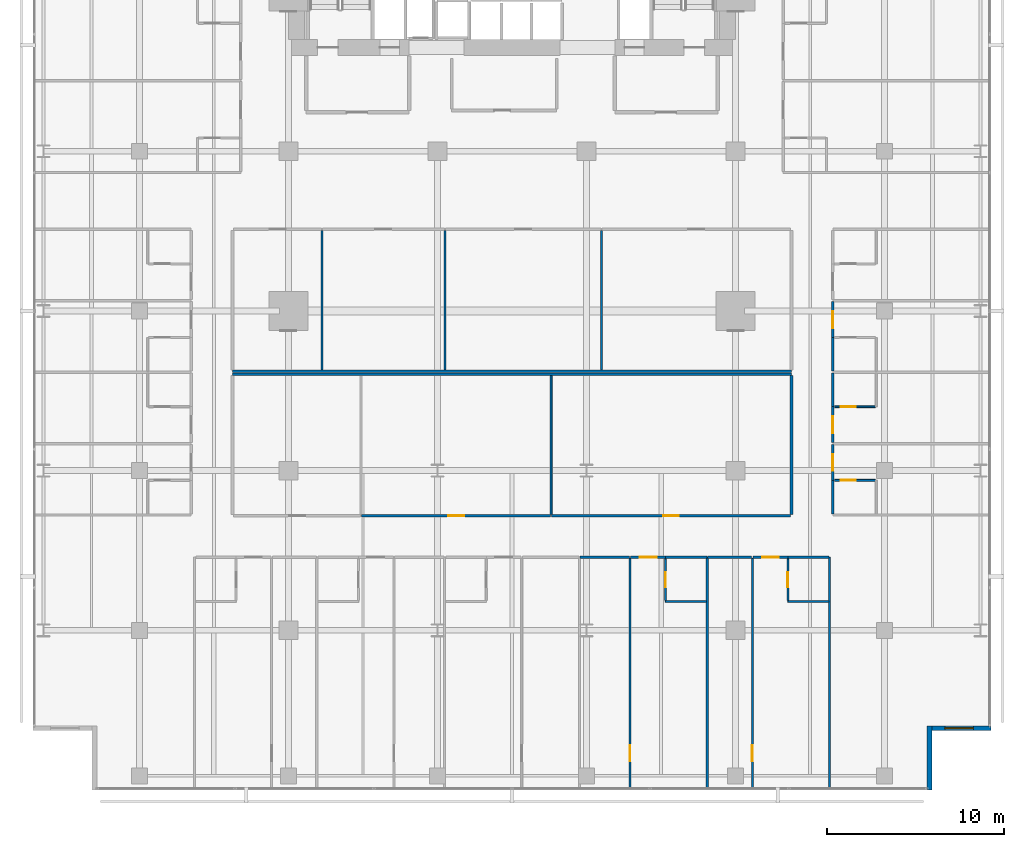
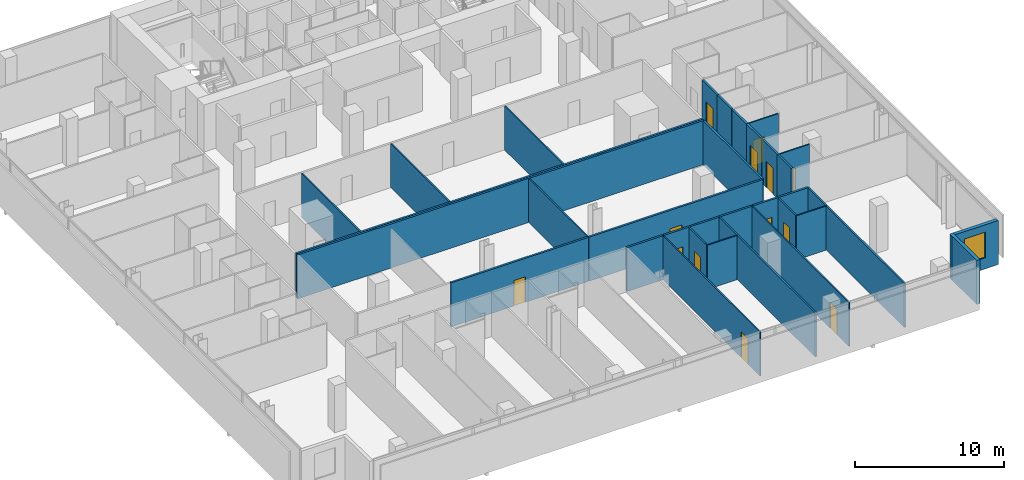
# One storey, part 34 of 40: 33 walls, 13 doors, 1 window, 14 openings.
"""IFC4 building model written with IfcOpenShell, lengths in metres."""

from ifc_helpers import new_model, si_unit, direction, frame, frame_2d, origin, place, context, subcontext, project, spatial, rectangle, extrude, material, layer, layer_set, type_object, element, fill, save


model = new_model("IFC4")

# Units and contexts
model_context = context("Model", 3, precision=1e-05, world=origin(), true_north=direction((0.0, 1.0)))
body_context = subcontext(model_context, "Body", "Model", "MODEL_VIEW")
ifc_project = project(units=[si_unit("LENGTHUNIT", "METRE"), si_unit("AREAUNIT", "SQUARE_METRE"), si_unit("VOLUMEUNIT", "CUBIC_METRE"), si_unit("PLANEANGLEUNIT", "RADIAN"), si_unit("MASSUNIT", "GRAM", prefix="KILO")], contexts=[model_context])

# Site, building, storey
site_placement = place(None, origin())
site = spatial("IfcSite", under=ifc_project, at=site_placement, CompositionType="ELEMENT")
building_placement = place(site_placement, origin())
building = spatial("IfcBuilding", under=site, at=building_placement, Name="Maruvema Waterfront Hotel and Observation Tower", CompositionType="ELEMENT")
storey_placement = place(building_placement, frame((0.0, 0.0, 77.0)))
storey = spatial("IfcBuildingStorey", under=building, at=storey_placement, Name="L18", CompositionType="ELEMENT", Elevation=77.0)

# Walls
ifc_material_1 = material(Name="Twin-stud acoustic gypsum drywall", Category="gypsum")
ifc_layer_1 = layer(ifc_material_1, 0.14990234375, Name="Acoustic Corridor and Suite Demising Wall 150 mm")
ifc_layer_set_1 = layer_set([ifc_layer_1], Name="Twin-stud acoustic gypsum drywall")
wall_type_1 = type_object("IfcWallType", Name="Acoustic Corridor and Suite Demising Wall 150 mm", PredefinedType="PARTITIONING", material=ifc_layer_set_1)
for number, where, z_axis, x_axis, name in (
    (1, (22.050048828125, 23.60009765625, 0.0), (0.0, 0.0, 1.0), (1.0, 0.0, 0.0), "L18 L18-INTN Back Wall 016"),
    (2, (22.050048828125, 23.43994140625, 0.0), (0.0, 0.0, 1.0), (1.0, 0.0, 0.0), "L18 L18-INTS Back Wall 026"),
):
    element("IfcWall", number, at=place(storey_placement, frame(where, z_axis=z_axis, x_axis=x_axis)), inside=storey, type_object=wall_type_1, Name=name, PredefinedType="PARTITIONING", context=body_context, shape_type="SweptSolid", body=[
        extrude(rectangle(XDim=31.5, YDim=0.14990234375, at=frame_2d((15.75, 0.0))), origin(), (0.0, 0.0, 1.0), 3.610107421875),
    ])
wall_1_placement = place(storey_placement, frame((53.550048828125, 15.530029296875, 0.0), z_axis=(0.0, 0.0, 1.0), x_axis=(0.0, 1.0, 0.0)))
element("IfcWall", 3, at=wall_1_placement, inside=storey, type_object=wall_type_1, Name="L18 L18-INTS East Wall 028", PredefinedType="PARTITIONING", context=body_context, shape_type="SweptSolid", body=[
    extrude(rectangle(XDim=7.830078125, YDim=0.14990234375, at=frame_2d((3.9150390625, 0.0))), origin(), (0.0, 0.0, 1.0), 3.610107421875),
])

# Wall, opening, door
wall_2_placement = place(storey_placement, frame((29.324951171875, 15.449951171875, 0.0), z_axis=(0.0, 0.0, 1.0), x_axis=(1.0, 0.0, 0.0)))
wall_2 = element("IfcWall", 4, at=wall_2_placement, inside=storey, type_object=wall_type_1, Name="L18 L18-INTS Front 2 031", PredefinedType="PARTITIONING", context=body_context, shape_type="SweptSolid", body=[
    extrude(rectangle(XDim=10.650146484375, YDim=0.14990234375, at=frame_2d((5.3251953125, 0.0))), origin(), (0.0, 0.0, 1.0), 3.610107421875),
])
opening_1_placement = place(wall_2_placement, frame((4.875, 0.0, 0.0)))
opening_1 = element("IfcOpeningElement", 5, at=opening_1_placement, cuts=wall_2, Name="Opening DR-090", PredefinedType="OPENING", context=body_context, shape_type="SweptSolid", body=[
    extrude(rectangle(XDim=0.89990234375, YDim=2.10009765625, at=frame_2d((0.449951171875, 1.050048828125))), frame((0.0, 0.0849609375, 0.0), z_axis=(0.0, -1.0, 0.0), x_axis=(1.0, 0.0, 0.0)), (0.0, 0.0, 1.0), 0.169921875),
])
ifc_material_2 = material(Name="Solid-core lacquered timber leaf", Category="wood")
door_type_1 = type_object("IfcDoorType", Name="Accessible Toilet and Room Door 900x2100 mm", OperationType="NOTDEFINED", PredefinedType="DOOR", material=ifc_material_2)
door_1_placement = place(opening_1_placement, frame((0.89990234375, 0.0, 0.0), z_axis=(0.0, 0.0, 1.0), x_axis=(-1.0, 0.0, 0.0)))
door_1 = element("IfcDoor", 6, at=door_1_placement, inside=storey, type_object=door_type_1, Name="L18 Tea Kitchenette Door", OperationType="SINGLE_SWING_LEFT", OverallHeight=2.10009765625, OverallWidth=0.89990234375, PredefinedType="DOOR", context=body_context, shape_type="SweptSolid", body=[
    extrude(rectangle(XDim=0.89990234375, YDim=2.10009765625, at=frame_2d((0.449951171875, 1.050048828125))), frame((0.0, 0.02490234375, 0.0), z_axis=(0.0, -1.0, 0.0), x_axis=(1.0, 0.0, 0.0)), (0.0, 0.0, 1.0), 0.050048828125),
])
fill(opening_1, door_1)

wall_3_placement = place(storey_placement, frame((40.034912109375, 15.449951171875, 0.0), z_axis=(0.0, 0.0, 1.0), x_axis=(1.0, 0.0, 0.0)))
wall_3 = element("IfcWall", 7, at=wall_3_placement, inside=storey, type_object=wall_type_1, Name="L18 L18-INTS Front 3 033", PredefinedType="PARTITIONING", context=body_context, shape_type="SweptSolid", body=[
    extrude(rectangle(XDim=13.455078125, YDim=0.14990234375, at=frame_2d((6.7275390625, 0.0))), origin(), (0.0, 0.0, 1.0), 3.610107421875),
])
opening_2_placement = place(wall_3_placement, frame((6.277587890625, 0.0, 0.0)))
opening_2 = element("IfcOpeningElement", 8, at=opening_2_placement, cuts=wall_3, Name="Opening DR-090", PredefinedType="OPENING", context=body_context, shape_type="SweptSolid", body=[
    extrude(rectangle(XDim=0.89990234375, YDim=2.10009765625, at=frame_2d((0.449951171875, 1.050048828125))), frame((0.0, 0.0849609375, 0.0), z_axis=(0.0, -1.0, 0.0), x_axis=(1.0, 0.0, 0.0)), (0.0, 0.0, 1.0), 0.169921875),
])
door_2_placement = place(opening_2_placement, frame((0.89990234375, 0.0, 0.0), z_axis=(0.0, 0.0, 1.0), x_axis=(-1.0, 0.0, 0.0)))
door_2 = element("IfcDoor", 9, at=door_2_placement, inside=storey, type_object=door_type_1, Name="L18 Housekeeping Linen Room Door", OperationType="SINGLE_SWING_RIGHT", OverallHeight=2.10009765625, OverallWidth=0.89990234375, PredefinedType="DOOR", context=body_context, shape_type="SweptSolid", body=[
    extrude(rectangle(XDim=0.89990234375, YDim=2.10009765625, at=frame_2d((0.449951171875, 1.050048828125))), frame((0.0, 0.02490234375, 0.0), z_axis=(0.0, -1.0, 0.0), x_axis=(1.0, 0.0, 0.0)), (0.0, 0.0, 1.0), 0.050048828125),
])
fill(opening_2, door_2)

# Walls
wall_4_placement = place(storey_placement, frame((46.449951171875, 13.1201171875, 0.0), z_axis=(0.0, 0.0, 1.0), x_axis=(1.0, 0.0, 0.0)))
element("IfcWall", 10, at=wall_4_placement, inside=storey, type_object=wall_type_1, Name="L18 Bath L18-S4 Back Wall 057", PredefinedType="PARTITIONING", context=body_context, shape_type="SweptSolid", body=[
    extrude(rectangle(XDim=2.330078125, YDim=0.14990234375, at=frame_2d((1.1650390625, 0.0))), origin(), (0.0, 0.0, 1.0), 3.610107421875),
])
wall_5_placement = place(storey_placement, frame((41.6201171875, 13.1201171875, 0.0), z_axis=(0.0, 0.0, 1.0), x_axis=(1.0, 0.0, 0.0)))
element("IfcWall", 11, at=wall_5_placement, inside=storey, type_object=wall_type_1, Name="L18 Bedroom L18-S4 Back Wall 060", PredefinedType="PARTITIONING", context=body_context, shape_type="SweptSolid", body=[
    extrude(rectangle(XDim=2.789794921875, YDim=0.14990234375, at=frame_2d((1.39501953125, 0.0))), origin(), (0.0, 0.0, 1.0), 3.610107421875),
])

# Wall, opening, door
wall_6_placement = place(storey_placement, frame((44.489990234375, 13.1201171875, 0.0), z_axis=(0.0, 0.0, 1.0), x_axis=(1.0, 0.0, 0.0)))
wall_6 = element("IfcWall", 12, at=wall_6_placement, inside=storey, type_object=wall_type_1, Name="L18 Unit L18-S4 Corridor Wall 061", PredefinedType="PARTITIONING", context=body_context, shape_type="SweptSolid", body=[
    extrude(rectangle(XDim=1.9599609375, YDim=0.14990234375, at=frame_2d((0.97998046875, 0.0))), origin(), (0.0, 0.0, 1.0), 3.610107421875),
])
opening_3_placement = place(wall_6_placement, frame((0.5048828125, 0.0, 0.0)))
opening_3 = element("IfcOpeningElement", 13, at=opening_3_placement, cuts=wall_6, Name="Opening DR-095", PredefinedType="OPENING", context=body_context, shape_type="SweptSolid", body=[
    extrude(rectangle(XDim=0.949951171875, YDim=2.14990234375, at=frame_2d((0.47509765625, 1.074951171875))), frame((0.0, 0.0849609375, 0.0), z_axis=(0.0, -1.0, 0.0), x_axis=(1.0, 0.0, 0.0)), (0.0, 0.0, 1.0), 0.169921875),
])
ifc_material_3 = material(Name="Acoustic solid-core hardwood timber leaf", Category="wood")
door_type_2 = type_object("IfcDoorType", Name="Guestroom Entrance Fire Door 950x2150 mm", OperationType="NOTDEFINED", PredefinedType="DOOR", material=ifc_material_3)
door_3_placement = place(opening_3_placement, frame((0.949951171875, 0.0, 0.0), z_axis=(0.0, 0.0, 1.0), x_axis=(-1.0, 0.0, 0.0)))
door_3 = element("IfcDoor", 14, at=door_3_placement, inside=storey, type_object=door_type_2, Name="L18 Unit L18-S4 Entrance Door", OperationType="SINGLE_SWING_LEFT", OverallHeight=2.14990234375, OverallWidth=0.949951171875, PredefinedType="DOOR", context=body_context, shape_type="SweptSolid", body=[
    extrude(rectangle(XDim=0.949951171875, YDim=2.14990234375, at=frame_2d((0.47509765625, 1.074951171875))), frame((0.0, 0.02490234375, 0.0), z_axis=(0.0, -1.0, 0.0), x_axis=(1.0, 0.0, 0.0)), (0.0, 0.0, 1.0), 0.050048828125),
])
fill(opening_3, door_3)

# Walls
wall_7_placement = place(storey_placement, frame((53.35009765625, 13.1201171875, 0.0), z_axis=(0.0, 0.0, 1.0), x_axis=(1.0, 0.0, 0.0)))
element("IfcWall", 15, at=wall_7_placement, inside=storey, type_object=wall_type_1, Name="L18 Bath L18-S5 Back Wall 064", PredefinedType="PARTITIONING", context=body_context, shape_type="SweptSolid", body=[
    extrude(rectangle(XDim=2.329833984375, YDim=0.14990234375, at=frame_2d((1.1650390625, 0.0))), origin(), (0.0, 0.0, 1.0), 3.610107421875),
])
wall_8_placement = place(storey_placement, frame((48.820068359375, 13.1201171875, 0.0), z_axis=(0.0, 0.0, 1.0), x_axis=(1.0, 0.0, 0.0)))
element("IfcWall", 16, at=wall_8_placement, inside=storey, type_object=wall_type_1, Name="L18 Bedroom L18-S5 Back Wall 067", PredefinedType="PARTITIONING", context=body_context, shape_type="SweptSolid", body=[
    extrude(rectangle(XDim=2.489990234375, YDim=0.14990234375, at=frame_2d((1.2451171875, 0.0))), origin(), (0.0, 0.0, 1.0), 3.610107421875),
])

# Wall, opening, door
wall_9_placement = place(storey_placement, frame((51.389892578125, 13.1201171875, 0.0), z_axis=(0.0, 0.0, 1.0), x_axis=(1.0, 0.0, 0.0)))
wall_9 = element("IfcWall", 17, at=wall_9_placement, inside=storey, type_object=wall_type_1, Name="L18 Unit L18-S5 Corridor Wall 068", PredefinedType="PARTITIONING", context=body_context, shape_type="SweptSolid", body=[
    extrude(rectangle(XDim=1.960205078125, YDim=0.14990234375, at=frame_2d((0.97998046875, 0.0))), origin(), (0.0, 0.0, 1.0), 3.610107421875),
])
opening_4_placement = place(wall_9_placement, frame((0.5048828125, 0.0, 0.0)))
opening_4 = element("IfcOpeningElement", 18, at=opening_4_placement, cuts=wall_9, Name="Opening DR-095", PredefinedType="OPENING", context=body_context, shape_type="SweptSolid", body=[
    extrude(rectangle(XDim=0.949951171875, YDim=2.14990234375, at=frame_2d((0.47509765625, 1.074951171875))), frame((0.0, 0.0849609375, 0.0), z_axis=(0.0, -1.0, 0.0), x_axis=(1.0, 0.0, 0.0)), (0.0, 0.0, 1.0), 0.169921875),
])
door_4_placement = place(opening_4_placement, frame((0.949951171875, 0.0, 0.0), z_axis=(0.0, 0.0, 1.0), x_axis=(-1.0, 0.0, 0.0)))
door_4 = element("IfcDoor", 19, at=door_4_placement, inside=storey, type_object=door_type_2, Name="L18 Unit L18-S5 Entrance Door", OperationType="SINGLE_SWING_RIGHT", OverallHeight=2.14990234375, OverallWidth=0.949951171875, PredefinedType="DOOR", context=body_context, shape_type="SweptSolid", body=[
    extrude(rectangle(XDim=0.949951171875, YDim=2.14990234375, at=frame_2d((0.47509765625, 1.074951171875))), frame((0.0, 0.02490234375, 0.0), z_axis=(0.0, -1.0, 0.0), x_axis=(1.0, 0.0, 0.0)), (0.0, 0.0, 1.0), 0.050048828125),
])
fill(opening_4, door_4)

# Wall
wall_10_placement = place(storey_placement, frame((55.8798828125, 15.56005859375, 0.0), z_axis=(0.0, 0.0, 1.0), x_axis=(0.0, 1.0, 0.0)))
element("IfcWall", 20, at=wall_10_placement, inside=storey, type_object=wall_type_1, Name="L18 Bath L18-E1 Wall 078", PredefinedType="PARTITIONING", context=body_context, shape_type="SweptSolid", body=[
    extrude(rectangle(XDim=1.889892578125, YDim=0.14990234375, at=frame_2d((0.94482421875, 0.0))), origin(), (0.0, 0.0, 1.0), 3.610107421875),
])

# Wall, opening, door
wall_11_placement = place(storey_placement, frame((55.8798828125, 17.449951171875, 0.0), z_axis=(0.0, 0.0, 1.0), x_axis=(0.0, 1.0, 0.0)))
wall_11 = element("IfcWall", 21, at=wall_11_placement, inside=storey, type_object=wall_type_1, Name="L18 Room L18-E1 Corridor Wall 079", PredefinedType="PARTITIONING", context=body_context, shape_type="SweptSolid", body=[
    extrude(rectangle(XDim=2.010009765625, YDim=0.14990234375, at=frame_2d((1.0048828125, 0.0))), origin(), (0.0, 0.0, 1.0), 3.610107421875),
])
opening_5_placement = place(wall_11_placement, frame((0.530029296875, 0.0, 0.0)))
opening_5 = element("IfcOpeningElement", 22, at=opening_5_placement, cuts=wall_11, Name="Opening DR-095", PredefinedType="OPENING", context=body_context, shape_type="SweptSolid", body=[
    extrude(rectangle(XDim=0.949951171875, YDim=2.14990234375, at=frame_2d((0.47509765625, 1.074951171875))), frame((0.0, 0.0849609375, 0.0), z_axis=(0.0, -1.0, 0.0), x_axis=(1.0, 0.0, 0.0)), (0.0, 0.0, 1.0), 0.169921875),
])
door_5_placement = place(opening_5_placement, frame((0.949951171875, 0.0, 0.0), z_axis=(0.0, 0.0, 1.0), x_axis=(-1.0, 0.0, 0.0)))
door_5 = element("IfcDoor", 23, at=door_5_placement, inside=storey, type_object=door_type_2, Name="L18 Room L18-E1 Entrance Door", OperationType="SINGLE_SWING_LEFT", OverallHeight=2.14990234375, OverallWidth=0.949951171875, PredefinedType="DOOR", context=body_context, shape_type="SweptSolid", body=[
    extrude(rectangle(XDim=0.949951171875, YDim=2.14990234375, at=frame_2d((0.47509765625, 1.074951171875))), frame((0.0, 0.02490234375, 0.0), z_axis=(0.0, -1.0, 0.0), x_axis=(1.0, 0.0, 0.0)), (0.0, 0.0, 1.0), 0.050048828125),
])
fill(opening_5, door_5)

wall_12_placement = place(storey_placement, frame((55.8798828125, 19.580078125, 0.0), z_axis=(0.0, 0.0, 1.0), x_axis=(0.0, 1.0, 0.0)))
wall_12 = element("IfcWall", 24, at=wall_12_placement, inside=storey, type_object=wall_type_1, Name="L18 Room L18-E2 Corridor Wall 088", PredefinedType="PARTITIONING", context=body_context, shape_type="SweptSolid", body=[
    extrude(rectangle(XDim=2.02001953125, YDim=0.14990234375, at=frame_2d((1.010009765625, 0.0))), origin(), (0.0, 0.0, 1.0), 3.610107421875),
])
opening_6_placement = place(wall_12_placement, frame((0.534912109375, 0.0, 0.0)))
opening_6 = element("IfcOpeningElement", 25, at=opening_6_placement, cuts=wall_12, Name="Opening DR-095", PredefinedType="OPENING", context=body_context, shape_type="SweptSolid", body=[
    extrude(rectangle(XDim=0.949951171875, YDim=2.14990234375, at=frame_2d((0.47509765625, 1.074951171875))), frame((0.0, 0.0849609375, 0.0), z_axis=(0.0, -1.0, 0.0), x_axis=(1.0, 0.0, 0.0)), (0.0, 0.0, 1.0), 0.169921875),
])
door_6_placement = place(opening_6_placement, frame((0.949951171875, 0.0, 0.0), z_axis=(0.0, 0.0, 1.0), x_axis=(-1.0, 0.0, 0.0)))
door_6 = element("IfcDoor", 26, at=door_6_placement, inside=storey, type_object=door_type_2, Name="L18 Room L18-E2 Entrance Door", OperationType="SINGLE_SWING_LEFT", OverallHeight=2.14990234375, OverallWidth=0.949951171875, PredefinedType="DOOR", context=body_context, shape_type="SweptSolid", body=[
    extrude(rectangle(XDim=0.949951171875, YDim=2.14990234375, at=frame_2d((0.47509765625, 1.074951171875))), frame((0.0, 0.02490234375, 0.0), z_axis=(0.0, -1.0, 0.0), x_axis=(1.0, 0.0, 0.0)), (0.0, 0.0, 1.0), 0.050048828125),
])
fill(opening_6, door_6)

# Walls
for number, where, z_axis, x_axis, name in (
    (27, (55.8798828125, 21.60009765625, 0.0), (0.0, 0.0, 1.0), (0.0, 1.0, 0.0), "L18 Bath L18-E2 Wall 089"),
    (28, (55.8798828125, 23.610107421875, 0.0), (0.0, 0.0, 1.0), (0.0, 1.0, 0.0), "L18 Bath L18-E3 Wall 098"),
):
    element("IfcWall", number, at=place(storey_placement, frame(where, z_axis=z_axis, x_axis=x_axis)), inside=storey, type_object=wall_type_1, Name=name, PredefinedType="PARTITIONING", context=body_context, shape_type="SweptSolid", body=[
        extrude(rectangle(XDim=1.889892578125, YDim=0.14990234375, at=frame_2d((0.94482421875, 0.0))), origin(), (0.0, 0.0, 1.0), 3.610107421875),
    ])

# Wall, opening, door
wall_13_placement = place(storey_placement, frame((55.8798828125, 25.5, 0.0), z_axis=(0.0, 0.0, 1.0), x_axis=(0.0, 1.0, 0.0)))
wall_13 = element("IfcWall", 29, at=wall_13_placement, inside=storey, type_object=wall_type_1, Name="L18 Room L18-E3 Corridor Wall 099", PredefinedType="PARTITIONING", context=body_context, shape_type="SweptSolid", body=[
    extrude(rectangle(XDim=2.02001953125, YDim=0.14990234375, at=frame_2d((1.010009765625, 0.0))), origin(), (0.0, 0.0, 1.0), 3.610107421875),
])
opening_7_placement = place(wall_13_placement, frame((0.534912109375, 0.0, 0.0)))
opening_7 = element("IfcOpeningElement", 30, at=opening_7_placement, cuts=wall_13, Name="Opening DR-095", PredefinedType="OPENING", context=body_context, shape_type="SweptSolid", body=[
    extrude(rectangle(XDim=0.949951171875, YDim=2.14990234375, at=frame_2d((0.47509765625, 1.074951171875))), frame((0.0, 0.0849609375, 0.0), z_axis=(0.0, -1.0, 0.0), x_axis=(1.0, 0.0, 0.0)), (0.0, 0.0, 1.0), 0.169921875),
])
door_7_placement = place(opening_7_placement, frame((0.949951171875, 0.0, 0.0), z_axis=(0.0, 0.0, 1.0), x_axis=(-1.0, 0.0, 0.0)))
door_7 = element("IfcDoor", 31, at=door_7_placement, inside=storey, type_object=door_type_2, Name="L18 Room L18-E3 Entrance Door", OperationType="SINGLE_SWING_LEFT", OverallHeight=2.14990234375, OverallWidth=0.949951171875, PredefinedType="DOOR", context=body_context, shape_type="SweptSolid", body=[
    extrude(rectangle(XDim=0.949951171875, YDim=2.14990234375, at=frame_2d((0.47509765625, 1.074951171875))), frame((0.0, 0.02490234375, 0.0), z_axis=(0.0, -1.0, 0.0), x_axis=(1.0, 0.0, 0.0)), (0.0, 0.0, 1.0), 0.050048828125),
])
fill(opening_7, door_7)

# Walls
ifc_material_4 = material(Name="Moisture-resistant cement-board drywall", Category="gypsum")
ifc_layer_2 = layer(ifc_material_4, 0.10009765625, Name="En-Suite Moisture-Resistant Partition 100 mm")
ifc_layer_set_2 = layer_set([ifc_layer_2], Name="Moisture-resistant cement-board drywall")
wall_type_2 = type_object("IfcWallType", Name="En-Suite Moisture-Resistant Partition 100 mm", PredefinedType="PARTITIONING", material=ifc_layer_set_2)
for number, where, z_axis, x_axis, name in (
    (32, (27.090087890625, 23.679931640625, 0.0), (0.0, 0.0, 1.0), (0.0, 1.0, 0.0), "L18 L18-INTN Split 1 020"),
    (33, (34.02001953125, 23.679931640625, 0.0), (0.0, 0.0, 1.0), (0.0, 1.0, 0.0), "L18 L18-INTN Split 2 022"),
    (34, (42.840087890625, 23.679931640625, 0.0), (0.0, 0.0, 1.0), (0.0, 1.0, 0.0), "L18 L18-INTN Split 3 024"),
):
    element("IfcWall", number, at=place(storey_placement, frame(where, z_axis=z_axis, x_axis=x_axis)), inside=storey, type_object=wall_type_2, Name=name, PredefinedType="PARTITIONING", context=body_context, shape_type="SweptSolid", body=[
        extrude(rectangle(XDim=7.840087890625, YDim=0.10009765625, at=frame_2d((3.919921875, 0.0))), origin(), (0.0, 0.0, 1.0), 3.610107421875),
    ])
wall_14_placement = place(storey_placement, frame((40.0048828125, 15.530029296875, 0.0), z_axis=(0.0, 0.0, 1.0), x_axis=(0.0, 1.0, 0.0)))
element("IfcWall", 35, at=wall_14_placement, inside=storey, type_object=wall_type_2, Name="L18 L18-INTS Split 2 032", PredefinedType="PARTITIONING", context=body_context, shape_type="SweptSolid", body=[
    extrude(rectangle(XDim=7.830078125, YDim=0.10009765625, at=frame_2d((3.9150390625, 0.0))), origin(), (0.0, 0.0, 1.0), 3.610107421875),
])
wall_15_placement = place(storey_placement, frame((46.449951171875, 10.6201171875, 0.0), z_axis=(0.0, 0.0, 1.0), x_axis=(1.0, 0.0, 0.0)))
element("IfcWall", 36, at=wall_15_placement, inside=storey, type_object=wall_type_2, Name="L18 En-Suite L18-S4 South 058", PredefinedType="PARTITIONING", context=body_context, shape_type="SweptSolid", body=[
    extrude(rectangle(XDim=2.31005859375, YDim=0.10009765625, at=frame_2d((1.155029296875, 0.0))), origin(), (0.0, 0.0, 1.0), 3.610107421875),
])

# Wall, opening, door
wall_16_placement = place(storey_placement, frame((46.449951171875, 10.679931640625, 0.0), z_axis=(0.0, 0.0, 1.0), x_axis=(0.0, 1.0, 0.0)))
wall_16 = element("IfcWall", 37, at=wall_16_placement, inside=storey, type_object=wall_type_2, Name="L18 En-Suite L18-S4 West 059", PredefinedType="PARTITIONING", context=body_context, shape_type="SweptSolid", body=[
    extrude(rectangle(XDim=2.340087890625, YDim=0.10009765625, at=frame_2d((1.169921875, 0.0))), origin(), (0.0, 0.0, 1.0), 3.610107421875),
])
opening_8_placement = place(wall_16_placement, frame((0.7451171875, 0.0, 0.0)))
opening_8 = element("IfcOpeningElement", 38, at=opening_8_placement, cuts=wall_16, Name="Opening DR-085", PredefinedType="OPENING", context=body_context, shape_type="SweptSolid", body=[
    extrude(rectangle(XDim=0.85009765625, YDim=2.10009765625, at=frame_2d((0.425048828125, 1.050048828125))), frame((0.0, 0.06005859375, 0.0), z_axis=(0.0, -1.0, 0.0), x_axis=(1.0, 0.0, 0.0)), (0.0, 0.0, 1.0), 0.1201171875),
])
ifc_material_5 = material(Name="Moisture-resistant solid timber leaf", Category="wood")
door_type_3 = type_object("IfcDoorType", Name="En-Suite Bathroom Door 850x2100 mm", OperationType="NOTDEFINED", PredefinedType="DOOR", material=ifc_material_5)
door_8_placement = place(opening_8_placement, origin())
door_8 = element("IfcDoor", 39, at=door_8_placement, inside=storey, type_object=door_type_3, Name="L18 En-Suite L18-S4 Door", OperationType="SINGLE_SWING_RIGHT", OverallHeight=2.10009765625, OverallWidth=0.85009765625, PredefinedType="DOOR", context=body_context, shape_type="SweptSolid", body=[
    extrude(rectangle(XDim=0.85009765625, YDim=2.10009765625, at=frame_2d((0.425048828125, 1.050048828125))), frame((0.0, 0.02490234375, 0.0), z_axis=(0.0, -1.0, 0.0), x_axis=(1.0, 0.0, 0.0)), (0.0, 0.0, 1.0), 0.050048828125),
])
fill(opening_8, door_8)

wall_17_placement = place(storey_placement, frame((44.449951171875, 0.030029296875, 0.0), z_axis=(0.0, 0.0, 1.0), x_axis=(0.0, 1.0, 0.0)))
wall_17 = element("IfcWall", 40, at=wall_17_placement, inside=storey, type_object=wall_type_2, Name="L18 Suite L18-S4 Split 062", PredefinedType="PARTITIONING", context=body_context, shape_type="SweptSolid", body=[
    extrude(rectangle(XDim=13.030029296875, YDim=0.10009765625, at=frame_2d((6.51513671875, 0.0))), origin(), (0.0, 0.0, 1.0), 3.610107421875),
])
opening_9_placement = place(wall_17_placement, frame((1.60009765625, 0.0, 0.0)))
opening_9 = element("IfcOpeningElement", 41, at=opening_9_placement, cuts=wall_17, Name="Opening DR-090", PredefinedType="OPENING", context=body_context, shape_type="SweptSolid", body=[
    extrude(rectangle(XDim=0.89990234375, YDim=2.10009765625, at=frame_2d((0.449951171875, 1.050048828125))), frame((0.0, 0.06005859375, 0.0), z_axis=(0.0, -1.0, 0.0), x_axis=(1.0, 0.0, 0.0)), (0.0, 0.0, 1.0), 0.1201171875),
])
door_9_placement = place(opening_9_placement, frame((0.89990234375, 0.0, 0.0), z_axis=(0.0, 0.0, 1.0), x_axis=(-1.0, 0.0, 0.0)))
door_9 = element("IfcDoor", 42, at=door_9_placement, inside=storey, type_object=door_type_1, Name="L18 Suite L18-S4 Bedroom Door", OperationType="SINGLE_SWING_RIGHT", OverallHeight=2.10009765625, OverallWidth=0.89990234375, PredefinedType="DOOR", context=body_context, shape_type="SweptSolid", body=[
    extrude(rectangle(XDim=0.89990234375, YDim=2.10009765625, at=frame_2d((0.449951171875, 1.050048828125))), frame((0.0, 0.02490234375, 0.0), z_axis=(0.0, -1.0, 0.0), x_axis=(1.0, 0.0, 0.0)), (0.0, 0.0, 1.0), 0.050048828125),
])
fill(opening_9, door_9)

# Wall
wall_18_placement = place(storey_placement, frame((53.35009765625, 10.6201171875, 0.0), z_axis=(0.0, 0.0, 1.0), x_axis=(1.0, 0.0, 0.0)))
element("IfcWall", 43, at=wall_18_placement, inside=storey, type_object=wall_type_2, Name="L18 En-Suite L18-S5 South 065", PredefinedType="PARTITIONING", context=body_context, shape_type="SweptSolid", body=[
    extrude(rectangle(XDim=2.309814453125, YDim=0.10009765625, at=frame_2d((1.15478515625, 0.0))), origin(), (0.0, 0.0, 1.0), 3.610107421875),
])

# Wall, opening, door
wall_19_placement = place(storey_placement, frame((53.35009765625, 10.679931640625, 0.0), z_axis=(0.0, 0.0, 1.0), x_axis=(0.0, 1.0, 0.0)))
wall_19 = element("IfcWall", 44, at=wall_19_placement, inside=storey, type_object=wall_type_2, Name="L18 En-Suite L18-S5 West 066", PredefinedType="PARTITIONING", context=body_context, shape_type="SweptSolid", body=[
    extrude(rectangle(XDim=2.340087890625, YDim=0.10009765625, at=frame_2d((1.169921875, 0.0))), origin(), (0.0, 0.0, 1.0), 3.610107421875),
])
opening_10_placement = place(wall_19_placement, frame((0.7451171875, 0.0, 0.0)))
opening_10 = element("IfcOpeningElement", 45, at=opening_10_placement, cuts=wall_19, Name="Opening DR-085", PredefinedType="OPENING", context=body_context, shape_type="SweptSolid", body=[
    extrude(rectangle(XDim=0.85009765625, YDim=2.10009765625, at=frame_2d((0.425048828125, 1.050048828125))), frame((0.0, 0.06005859375, 0.0), z_axis=(0.0, -1.0, 0.0), x_axis=(1.0, 0.0, 0.0)), (0.0, 0.0, 1.0), 0.1201171875),
])
door_10_placement = place(opening_10_placement, origin())
door_10 = element("IfcDoor", 46, at=door_10_placement, inside=storey, type_object=door_type_3, Name="L18 En-Suite L18-S5 Door", OperationType="SINGLE_SWING_LEFT", OverallHeight=2.10009765625, OverallWidth=0.85009765625, PredefinedType="DOOR", context=body_context, shape_type="SweptSolid", body=[
    extrude(rectangle(XDim=0.85009765625, YDim=2.10009765625, at=frame_2d((0.425048828125, 1.050048828125))), frame((0.0, 0.02490234375, 0.0), z_axis=(0.0, -1.0, 0.0), x_axis=(1.0, 0.0, 0.0)), (0.0, 0.0, 1.0), 0.050048828125),
])
fill(opening_10, door_10)

wall_20_placement = place(storey_placement, frame((51.35009765625, 0.030029296875, 0.0), z_axis=(0.0, 0.0, 1.0), x_axis=(0.0, 1.0, 0.0)))
wall_20 = element("IfcWall", 47, at=wall_20_placement, inside=storey, type_object=wall_type_2, Name="L18 Suite L18-S5 Split 069", PredefinedType="PARTITIONING", context=body_context, shape_type="SweptSolid", body=[
    extrude(rectangle(XDim=13.030029296875, YDim=0.10009765625, at=frame_2d((6.51513671875, 0.0))), origin(), (0.0, 0.0, 1.0), 3.610107421875),
])
opening_11_placement = place(wall_20_placement, frame((1.60009765625, 0.0, 0.0)))
opening_11 = element("IfcOpeningElement", 48, at=opening_11_placement, cuts=wall_20, Name="Opening DR-090", PredefinedType="OPENING", context=body_context, shape_type="SweptSolid", body=[
    extrude(rectangle(XDim=0.89990234375, YDim=2.10009765625, at=frame_2d((0.449951171875, 1.050048828125))), frame((0.0, 0.06005859375, 0.0), z_axis=(0.0, -1.0, 0.0), x_axis=(1.0, 0.0, 0.0)), (0.0, 0.0, 1.0), 0.1201171875),
])
door_11_placement = place(opening_11_placement, frame((0.89990234375, 0.0, 0.0), z_axis=(0.0, 0.0, 1.0), x_axis=(-1.0, 0.0, 0.0)))
door_11 = element("IfcDoor", 49, at=door_11_placement, inside=storey, type_object=door_type_1, Name="L18 Suite L18-S5 Bedroom Door", OperationType="SINGLE_SWING_LEFT", OverallHeight=2.10009765625, OverallWidth=0.89990234375, PredefinedType="DOOR", context=body_context, shape_type="SweptSolid", body=[
    extrude(rectangle(XDim=0.89990234375, YDim=2.10009765625, at=frame_2d((0.449951171875, 1.050048828125))), frame((0.0, 0.02490234375, 0.0), z_axis=(0.0, -1.0, 0.0), x_axis=(1.0, 0.0, 0.0)), (0.0, 0.0, 1.0), 0.050048828125),
])
fill(opening_11, door_11)

wall_21_placement = place(storey_placement, frame((55.97998046875, 17.449951171875, 0.0), z_axis=(0.0, 0.0, 1.0), x_axis=(1.0, 0.0, 0.0)))
wall_21 = element("IfcWall", 50, at=wall_21_placement, inside=storey, type_object=wall_type_2, Name="L18 En-Suite L18-E1 N 081", PredefinedType="PARTITIONING", context=body_context, shape_type="SweptSolid", body=[
    extrude(rectangle(XDim=2.300048828125, YDim=0.10009765625, at=frame_2d((1.14990234375, 0.0))), origin(), (0.0, 0.0, 1.0), 3.610107421875),
])
opening_12_placement = place(wall_21_placement, frame((0.35009765625, 0.0, 0.0)))
opening_12 = element("IfcOpeningElement", 51, at=opening_12_placement, cuts=wall_21, Name="Opening DR-085", PredefinedType="OPENING", context=body_context, shape_type="SweptSolid", body=[
    extrude(rectangle(XDim=0.85009765625, YDim=2.10009765625, at=frame_2d((0.425048828125, 1.050048828125))), frame((0.0, 0.06005859375, 0.0), z_axis=(0.0, -1.0, 0.0), x_axis=(1.0, 0.0, 0.0)), (0.0, 0.0, 1.0), 0.1201171875),
])
door_12_placement = place(opening_12_placement, origin())
door_12 = element("IfcDoor", 52, at=door_12_placement, inside=storey, type_object=door_type_3, Name="L18 En-Suite L18-E1 Door", OperationType="SINGLE_SWING_RIGHT", OverallHeight=2.10009765625, OverallWidth=0.85009765625, PredefinedType="DOOR", context=body_context, shape_type="SweptSolid", body=[
    extrude(rectangle(XDim=0.85009765625, YDim=2.10009765625, at=frame_2d((0.425048828125, 1.050048828125))), frame((0.0, 0.02490234375, 0.0), z_axis=(0.0, -1.0, 0.0), x_axis=(1.0, 0.0, 0.0)), (0.0, 0.0, 1.0), 0.050048828125),
])
fill(opening_12, door_12)

wall_22_placement = place(storey_placement, frame((55.97998046875, 21.60009765625, 0.0), z_axis=(0.0, 0.0, 1.0), x_axis=(1.0, 0.0, 0.0)))
wall_22 = element("IfcWall", 53, at=wall_22_placement, inside=storey, type_object=wall_type_2, Name="L18 En-Suite L18-E2 S 091", PredefinedType="PARTITIONING", context=body_context, shape_type="SweptSolid", body=[
    extrude(rectangle(XDim=2.300048828125, YDim=0.10009765625, at=frame_2d((1.14990234375, 0.0))), origin(), (0.0, 0.0, 1.0), 3.610107421875),
])
opening_13_placement = place(wall_22_placement, frame((0.35009765625, 0.0, 0.0)))
opening_13 = element("IfcOpeningElement", 54, at=opening_13_placement, cuts=wall_22, Name="Opening DR-085", PredefinedType="OPENING", context=body_context, shape_type="SweptSolid", body=[
    extrude(rectangle(XDim=0.85009765625, YDim=2.10009765625, at=frame_2d((0.425048828125, 1.050048828125))), frame((0.0, 0.06005859375, 0.0), z_axis=(0.0, -1.0, 0.0), x_axis=(1.0, 0.0, 0.0)), (0.0, 0.0, 1.0), 0.1201171875),
])
door_13_placement = place(opening_13_placement, frame((0.85009765625, 0.0, 0.0), z_axis=(0.0, 0.0, 1.0), x_axis=(-1.0, 0.0, 0.0)))
door_13 = element("IfcDoor", 55, at=door_13_placement, inside=storey, type_object=door_type_3, Name="L18 En-Suite L18-E2 Door", OperationType="SINGLE_SWING_RIGHT", OverallHeight=2.10009765625, OverallWidth=0.85009765625, PredefinedType="DOOR", context=body_context, shape_type="SweptSolid", body=[
    extrude(rectangle(XDim=0.85009765625, YDim=2.10009765625, at=frame_2d((0.425048828125, 1.050048828125))), frame((0.0, 0.02490234375, 0.0), z_axis=(0.0, -1.0, 0.0), x_axis=(1.0, 0.0, 0.0)), (0.0, 0.0, 1.0), 0.050048828125),
])
fill(opening_13, door_13)

# Wall
ifc_material_6 = material(Name="Precast concrete C45/55 with honed Pernambuco granite facing", Category="masonry")
ifc_layer_3 = layer(ifc_material_6, 0.260009765625, Name="Exterior Granite Clad Spandrel and Pier Wall 260 mm")
ifc_layer_set_3 = layer_set([ifc_layer_3], Name="Precast concrete C45/55 with honed Pernambuco granite facing")
wall_type_3 = type_object("IfcWallType", Name="Exterior Granite Clad Spandrel and Pier Wall 260 mm", PredefinedType="SOLIDWALL", material=ifc_layer_set_3)
wall_23_placement = place(storey_placement, frame((61.330078125, 3.60009765625, 0.0), z_axis=(0.0, 0.0, 1.0), x_axis=(0.0, -1.0, 0.0)))
element("IfcWall", 56, at=wall_23_placement, inside=storey, type_object=wall_type_3, Name="L18 Corner Notch Granite Pier Wall SE1", PredefinedType="SOLIDWALL", context=body_context, shape_type="SweptSolid", body=[
    extrude(rectangle(XDim=3.60009765625, YDim=0.260009765625, at=frame_2d((1.800048828125, 0.0))), origin(), (0.0, 0.0, 1.0), 3.610107421875),
])

# Wall, opening, window
wall_24_placement = place(storey_placement, frame((64.800048828125, 3.469970703125, 0.0), z_axis=(0.0, 0.0, 1.0), x_axis=(-1.0, 0.0, 0.0)))
wall_24 = element("IfcWall", 57, at=wall_24_placement, inside=storey, type_object=wall_type_3, Name="L18 Corner Notch Granite Pier Wall SE2", PredefinedType="SOLIDWALL", context=body_context, shape_type="SweptSolid", body=[
    extrude(rectangle(XDim=3.60009765625, YDim=0.260009765625, at=frame_2d((1.800048828125, 0.0))), origin(), (0.0, 0.0, 1.0), 3.610107421875),
])
opening_14_placement = place(wall_24_placement, frame((1.0, 0.0, 0.89990234375)))
opening_14 = element("IfcOpeningElement", 58, at=opening_14_placement, cuts=wall_24, Name="Opening WN-01", PredefinedType="OPENING", context=body_context, shape_type="SweptSolid", body=[
    extrude(rectangle(XDim=1.60009765625, YDim=2.10009765625, at=frame_2d((0.800048828125, 1.050048828125))), frame((0.0, 0.14013671875, 0.0), z_axis=(0.0, -1.0, 0.0), x_axis=(1.0, 0.0, 0.0)), (0.0, 0.0, 1.0), 0.280029296875),
])
ifc_material_7 = material(Name="Anodised bronze aluminium frame with laminated low-E glass", Category="aluminium")
window_type = type_object("IfcWindowType", Name="Corner Notch Feature Window 1600x2100 mm", PartitioningType="SINGLE_PANEL", PredefinedType="WINDOW", material=ifc_material_7)
window_placement = place(opening_14_placement, origin())
window = element("IfcWindow", 59, at=window_placement, inside=storey, type_object=window_type, Name="L18 Corner Notch Punched Window SE2", OverallHeight=2.10009765625, OverallWidth=1.60009765625, PartitioningType="SINGLE_PANEL", PredefinedType="WINDOW", context=body_context, shape_type="SweptSolid", body=[
    extrude(rectangle(XDim=1.60009765625, YDim=2.10009765625, at=frame_2d((0.800048828125, 1.050048828125))), frame((0.0, 0.030029296875, 0.0), z_axis=(0.0, -1.0, 0.0), x_axis=(1.0, 0.0, 0.0)), (0.0, 0.0, 1.0), 0.06005859375),
])
fill(opening_14, window)

# Walls
ifc_material_8 = material(Name="Acoustic gypsum plasterboard drywall", Category="gypsum")
ifc_layer_4 = layer(ifc_material_8, 0.125, Name="Guestroom Acoustic Demising Wall 125 mm")
ifc_layer_set_4 = layer_set([ifc_layer_4], Name="Acoustic gypsum plasterboard drywall")
wall_type_4 = type_object("IfcWallType", Name="Guestroom Acoustic Demising Wall 125 mm", PredefinedType="PARTITIONING", material=ifc_layer_set_4)
for number, where, z_axis, x_axis, name in (
    (60, (55.699951171875, 0.10009765625, 0.0), (0.0, 0.0, 1.0), (0.0, 1.0, 0.0), "L18 S East End 035"),
    (61, (48.800048828125, 0.10009765625, 0.0), (0.0, 0.0, 1.0), (0.0, 1.0, 0.0), "L18 S Demising 5 063"),
):
    element("IfcWall", number, at=place(storey_placement, frame(where, z_axis=z_axis, x_axis=x_axis)), inside=storey, type_object=wall_type_4, Name=name, PredefinedType="PARTITIONING", context=body_context, shape_type="SweptSolid", body=[
        extrude(rectangle(XDim=13.02001953125, YDim=0.125, at=frame_2d((6.510009765625, 0.0))), origin(), (0.0, 0.0, 1.0), 3.610107421875),
    ])

save(model, "model.ifc")
